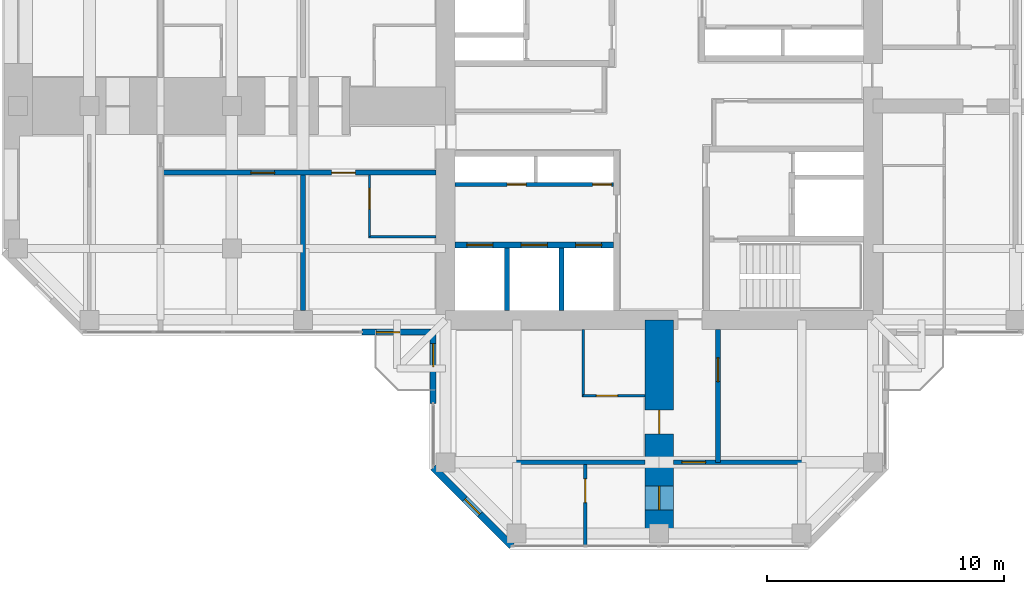
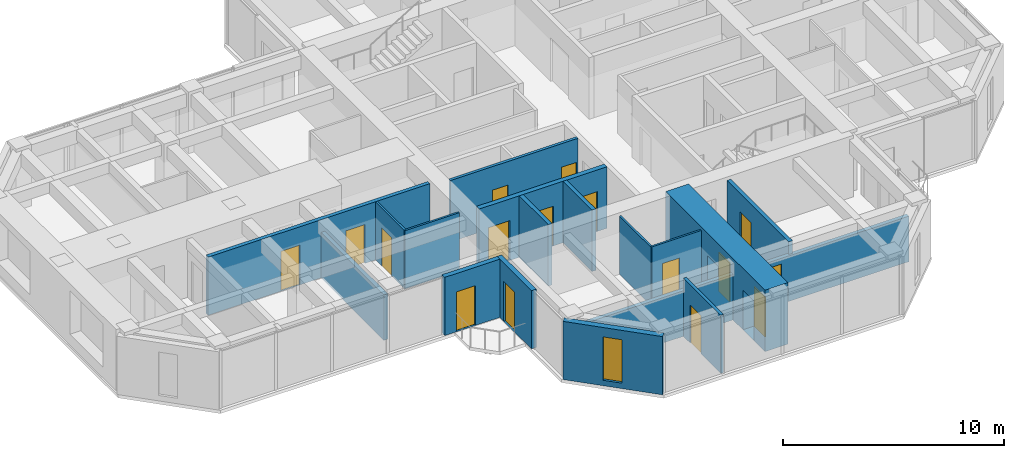
# One storey, part 8 of 13: 18 walls, 16 doors, 1 window, 17 openings.
"""IFC4 building model written with IfcOpenShell, lengths in metres."""

from ifc_helpers import new_model, si_unit, direction, frame, frame_2d, origin, place, context, subcontext, project, spatial, rectangle, hollow_rectangle, extrude, material, layer, layer_set, constituent, constituent_set, type_object, element, fill, save


model = new_model("IFC4")

# Units and contexts
model_context = context("Model", 3, precision=1e-05, world=origin(), true_north=direction((0.0, 1.0)))
body_context = subcontext(model_context, "Body", "Model", "MODEL_VIEW")
ifc_project = project(units=[si_unit("LENGTHUNIT", "METRE"), si_unit("AREAUNIT", "SQUARE_METRE"), si_unit("VOLUMEUNIT", "CUBIC_METRE"), si_unit("PLANEANGLEUNIT", "RADIAN"), si_unit("MASSUNIT", "GRAM", prefix="KILO")], contexts=[model_context])

# Site, building, storey
site_placement = place(None, origin())
site = spatial("IfcSite", under=ifc_project, at=site_placement, CompositionType="ELEMENT")
building_placement = place(site_placement, origin())
building = spatial("IfcBuilding", under=site, at=building_placement, Name="Torre Cruceta", CompositionType="ELEMENT")
storey_placement = place(building_placement, frame((0.0, 0.0, 245.89990234375)))
storey = spatial("IfcBuildingStorey", under=building, at=storey_placement, Name="L63", CompositionType="ELEMENT", Elevation=245.89990234375)

# Wall
ifc_material_1 = material(Name="Water-resistant plasterboard on steel studs", Category="steel")
ifc_layer_1 = layer(ifc_material_1, 0.10009765625)
ifc_layer_set_1 = layer_set([ifc_layer_1], Name="Water-resistant plasterboard on steel studs")
wall_type_1 = type_object("IfcWallType", Name="BATHROOM WALL 100", PredefinedType="PARTITIONING", material=ifc_layer_set_1)
wall_1_placement = place(storey_placement, frame((-3.199951171875, -9.39990234375, 0.0), z_axis=(0.0, 0.0, 1.0), x_axis=(0.0, -1.0, 0.0)))
element("IfcWall", 1, at=wall_1_placement, inside=storey, type_object=wall_type_1, Name="PT4 L63-S-U1RBB", PredefinedType="PARTITIONING", context=body_context, shape_type="SweptSolid", body=[
    extrude(rectangle(XDim=2.85009765625, YDim=0.10009765625, at=frame_2d((1.425048828125, 0.0))), origin(), (0.0, 0.0, 1.0), 3.22021484375),
])

# Wall, opening, door
wall_2_placement = place(storey_placement, frame((-3.199951171875, -12.199951171875, 0.0), z_axis=(0.0, 0.0, 1.0), x_axis=(1.0, 0.0, 0.0)))
wall_2 = element("IfcWall", 2, at=wall_2_placement, inside=storey, type_object=wall_type_1, Name="PT4 L63-S-U1RBS", PredefinedType="PARTITIONING", context=body_context, shape_type="SweptSolid", body=[
    extrude(rectangle(XDim=2.599853515625, YDim=0.10009765625, at=frame_2d((1.2998046875, 0.0))), origin(), (0.0, 0.0, 1.0), 3.22021484375),
])
opening_1_placement = place(wall_2_placement, frame((0.550048828125, 0.0, 0.0)))
opening_1 = element("IfcOpeningElement", 3, at=opening_1_placement, cuts=wall_2, Name="Opening D7", PredefinedType="OPENING", context=body_context, shape_type="SweptSolid", body=[
    extrude(rectangle(XDim=0.89990234375, YDim=2.10009765625, at=frame_2d((0.449951171875, 1.050048828125))), frame((0.0, 0.06005859375, 0.0), z_axis=(0.0, -1.0, 0.0), x_axis=(1.0, 0.0, 0.0)), (0.0, 0.0, 1.0), 0.1201171875),
])
ifc_material_2 = material(Name="Timber door", Category="wood")
door_type_1 = type_object("IfcDoorType", Name="BATHROOM DOOR 900X2100", OperationType="SINGLE_SWING_LEFT", PredefinedType="DOOR", material=ifc_material_2)
door_1_placement = place(opening_1_placement, origin())
door_1 = element("IfcDoor", 4, at=door_1_placement, inside=storey, type_object=door_type_1, Name="D7 L63-S-U1RBS-D1", OperationType="SINGLE_SWING_LEFT", OverallHeight=2.10009765625, OverallWidth=0.89990234375, PredefinedType="DOOR", context=body_context, shape_type="SweptSolid", body=[
    extrude(rectangle(XDim=0.89990234375, YDim=2.10009765625, at=frame_2d((0.449951171875, 1.050048828125))), frame((0.0, 0.02490234375, 0.0), z_axis=(0.0, -1.0, 0.0), x_axis=(1.0, 0.0, 0.0)), (0.0, 0.0, 1.0), 0.050048828125),
])
fill(opening_1, door_1)

# Wall
wall_3_placement = place(storey_placement, frame((-9.39990234375, -5.5, 0.0), z_axis=(0.0, 0.0, 1.0), x_axis=(-1.0, 0.0, 0.0)))
element("IfcWall", 5, at=wall_3_placement, inside=storey, type_object=wall_type_1, Name="PT4 L63-W-U1LBB", PredefinedType="PARTITIONING", context=body_context, shape_type="SweptSolid", body=[
    extrude(rectangle(XDim=2.85009765625, YDim=0.10009765625, at=frame_2d((1.425048828125, 0.0))), origin(), (0.0, 0.0, 1.0), 3.22021484375),
])

# Wall, opening, door
wall_4_placement = place(storey_placement, frame((-12.199951171875, -2.89990234375, 0.0), z_axis=(0.0, 0.0, 1.0), x_axis=(0.0, -1.0, 0.0)))
wall_4 = element("IfcWall", 6, at=wall_4_placement, inside=storey, type_object=wall_type_1, Name="PT4 L63-W-U1LBS", PredefinedType="PARTITIONING", context=body_context, shape_type="SweptSolid", body=[
    extrude(rectangle(XDim=2.60009765625, YDim=0.10009765625, at=frame_2d((1.300048828125, 0.0))), origin(), (0.0, 0.0, 1.0), 3.22021484375),
])
opening_2_placement = place(wall_4_placement, frame((0.550048828125, 0.0, 0.0)))
opening_2 = element("IfcOpeningElement", 7, at=opening_2_placement, cuts=wall_4, Name="Opening D7", PredefinedType="OPENING", context=body_context, shape_type="SweptSolid", body=[
    extrude(rectangle(XDim=0.89990234375, YDim=2.10009765625, at=frame_2d((0.449951171875, 1.050048828125))), frame((0.0, 0.06005859375, 0.0), z_axis=(0.0, -1.0, 0.0), x_axis=(1.0, 0.0, 0.0)), (0.0, 0.0, 1.0), 0.1201171875),
])
door_2_placement = place(opening_2_placement, origin())
door_2 = element("IfcDoor", 8, at=door_2_placement, inside=storey, type_object=door_type_1, Name="D7 L63-W-U1LBS-D1", OperationType="SINGLE_SWING_LEFT", OverallHeight=2.10009765625, OverallWidth=0.89990234375, PredefinedType="DOOR", context=body_context, shape_type="SweptSolid", body=[
    extrude(rectangle(XDim=0.89990234375, YDim=2.10009765625, at=frame_2d((0.449951171875, 1.050048828125))), frame((0.0, 0.02490234375, 0.0), z_axis=(0.0, -1.0, 0.0), x_axis=(1.0, 0.0, 0.0)), (0.0, 0.0, 1.0), 0.050048828125),
])
fill(opening_2, door_2)

# Wall, openings, doors
ifc_material_3 = material(Name="Concrete G60 (fck 60 MPa)", Category="concrete")
ifc_layer_2 = layer(ifc_material_3, 0.25)
ifc_layer_set_2 = layer_set([ifc_layer_2], Name="Concrete G60 (fck 60 MPa)")
wall_type_2 = type_object("IfcWallType", Name="CORE INNER WALL 250 G60", PredefinedType="SHEAR", material=ifc_layer_set_2)
wall_5_placement = place(storey_placement, frame((-1.925048828125, -5.85009765625, 0.0), z_axis=(0.0, 0.0, 1.0), x_axis=(-1.0, 0.0, 0.0)))
wall_5 = element("IfcWall", 9, at=wall_5_placement, inside=storey, type_object=wall_type_2, Name="CW4 L63 SW-LV", PredefinedType="SHEAR", context=body_context, shape_type="SweptSolid", body=[
    extrude(rectangle(XDim=6.675048828125, YDim=0.25, at=frame_2d((3.33740234375, 0.0))), origin(), (0.0, 0.0, 1.0), 3.400146484375),
])
opening_3_placement = place(wall_5_placement, frame((0.495849609375, 0.0, 0.0)))
opening_3 = element("IfcOpeningElement", 10, at=opening_3_placement, cuts=wall_5, Name="Opening LD1", PredefinedType="OPENING", context=body_context, shape_type="SweptSolid", body=[
    extrude(rectangle(XDim=1.10009765625, YDim=2.199951171875, at=frame_2d((0.550048828125, 1.10009765625))), frame((0.0, 0.135009765625, 0.0), z_axis=(0.0, -1.0, 0.0), x_axis=(1.0, 0.0, 0.0)), (0.0, 0.0, 1.0), 0.27001953125),
])
opening_4_placement = place(wall_5_placement, frame((2.78759765625, 0.0, 0.0)))
opening_4 = element("IfcOpeningElement", 11, at=opening_4_placement, cuts=wall_5, Name="Opening LD1", PredefinedType="OPENING", context=body_context, shape_type="SweptSolid", body=[
    extrude(rectangle(XDim=1.10009765625, YDim=2.199951171875, at=frame_2d((0.550048828125, 1.10009765625))), frame((0.0, 0.135009765625, 0.0), z_axis=(0.0, -1.0, 0.0), x_axis=(1.0, 0.0, 0.0)), (0.0, 0.0, 1.0), 0.27001953125),
])
opening_5_placement = place(wall_5_placement, frame((5.0791015625, 0.0, 0.0)))
opening_5 = element("IfcOpeningElement", 12, at=opening_5_placement, cuts=wall_5, Name="Opening LD1", PredefinedType="OPENING", context=body_context, shape_type="SweptSolid", body=[
    extrude(rectangle(XDim=1.10009765625, YDim=2.199951171875, at=frame_2d((0.550048828125, 1.10009765625))), frame((0.0, 0.135009765625, 0.0), z_axis=(0.0, -1.0, 0.0), x_axis=(1.0, 0.0, 0.0)), (0.0, 0.0, 1.0), 0.27001953125),
])
ifc_material_4 = material(Name="Stainless steel 1.4401", Category="steel")
door_type_2 = type_object("IfcDoorType", Name="LIFT LANDING DOOR 1100X2200", OperationType="DOUBLE_DOOR_SLIDING", PredefinedType="DOOR", material=ifc_material_4)
door_3_placement = place(opening_3_placement, origin())
door_3 = element("IfcDoor", 13, at=door_3_placement, inside=storey, type_object=door_type_2, Name="Lift landing door R1", OperationType="DOUBLE_DOOR_SLIDING", OverallHeight=2.199951171875, OverallWidth=1.10009765625, PredefinedType="DOOR", context=body_context, shape_type="SweptSolid", body=[
    extrude(rectangle(XDim=1.10009765625, YDim=2.199951171875, at=frame_2d((0.550048828125, 1.10009765625))), frame((0.0, 0.02490234375, 0.0), z_axis=(0.0, -1.0, 0.0), x_axis=(1.0, 0.0, 0.0)), (0.0, 0.0, 1.0), 0.050048828125),
])
fill(opening_3, door_3)
door_4_placement = place(opening_4_placement, origin())
door_4 = element("IfcDoor", 14, at=door_4_placement, inside=storey, type_object=door_type_2, Name="Lift landing door R2", OperationType="DOUBLE_DOOR_SLIDING", OverallHeight=2.199951171875, OverallWidth=1.10009765625, PredefinedType="DOOR", context=body_context, shape_type="SweptSolid", body=[
    extrude(rectangle(XDim=1.10009765625, YDim=2.199951171875, at=frame_2d((0.550048828125, 1.10009765625))), frame((0.0, 0.02490234375, 0.0), z_axis=(0.0, -1.0, 0.0), x_axis=(1.0, 0.0, 0.0)), (0.0, 0.0, 1.0), 0.050048828125),
])
fill(opening_4, door_4)
door_5_placement = place(opening_5_placement, origin())
door_5 = element("IfcDoor", 15, at=door_5_placement, inside=storey, type_object=door_type_2, Name="Lift landing door R3", OperationType="DOUBLE_DOOR_SLIDING", OverallHeight=2.199951171875, OverallWidth=1.10009765625, PredefinedType="DOOR", context=body_context, shape_type="SweptSolid", body=[
    extrude(rectangle(XDim=1.10009765625, YDim=2.199951171875, at=frame_2d((0.550048828125, 1.10009765625))), frame((0.0, 0.02490234375, 0.0), z_axis=(0.0, -1.0, 0.0), x_axis=(1.0, 0.0, 0.0)), (0.0, 0.0, 1.0), 0.050048828125),
])
fill(opening_5, door_5)

# Wall, opening, door
ifc_material_5 = material(Name="Concrete G25 (fck 25 MPa)", Category="concrete")
ifc_layer_3 = layer(ifc_material_5, 0.199951171875)
ifc_layer_set_3 = layer_set([ifc_layer_3], Name="Concrete G25 (fck 25 MPa)")
wall_type_3 = type_object("IfcWallType", Name="CORRIDOR WALL 200", PredefinedType="SOLIDWALL", material=ifc_layer_set_3)
wall_6_placement = place(storey_placement, frame((2.47509765625, -9.39990234375, 0.0), z_axis=(0.0, 0.0, 1.0), x_axis=(0.0, -1.0, 0.0)))
wall_6 = element("IfcWall", 16, at=wall_6_placement, inside=storey, type_object=wall_type_3, Name="PT3 L63-S-CL", PredefinedType="SOLIDWALL", context=body_context, shape_type="SweptSolid", body=[
    extrude(rectangle(XDim=5.60009765625, YDim=0.199951171875, at=frame_2d((2.800048828125, 0.0))), origin(), (0.0, 0.0, 1.0), 3.22021484375),
])
opening_6_placement = place(wall_6_placement, frame((1.199951171875, 0.0, 0.0)))
opening_6 = element("IfcOpeningElement", 17, at=opening_6_placement, cuts=wall_6, Name="Opening D14", PredefinedType="OPENING", context=body_context, shape_type="SweptSolid", body=[
    extrude(rectangle(XDim=1.0, YDim=2.199951171875, at=frame_2d((0.5, 1.10009765625))), frame((0.0, 0.10986328125, 0.0), z_axis=(0.0, -1.0, 0.0), x_axis=(1.0, 0.0, 0.0)), (0.0, 0.0, 1.0), 0.219970703125),
])
ifc_material_6 = material(Name="Steel DX51D", Category="steel")
ifc_constituent_1 = constituent(ifc_material_6, Name="Leaf and frame")
ifc_material_7 = material(Name="Polyester powder coating", Category="paint")
ifc_constituent_2 = constituent(ifc_material_7, Name="Finish")
ifc_material_8 = material(Name="Fire-resisting glass", Category="glass")
ifc_constituent_3 = constituent(ifc_material_8, Name="Vision panel")
ifc_constituent_set_1 = constituent_set(constituents=[ifc_constituent_1, ifc_constituent_2, ifc_constituent_3], Name="Steel fire door with vision panel")
door_type_3 = type_object("IfcDoorType", Name="FIRE DOOR VISION PANEL 1000X2200", OperationType="SINGLE_SWING_RIGHT", PredefinedType="DOOR", material=ifc_constituent_set_1)
door_6_placement = place(opening_6_placement, origin())
door_6 = element("IfcDoor", 18, at=door_6_placement, inside=storey, type_object=door_type_3, Name="D14 L63-S-CL-D1", OperationType="SINGLE_SWING_LEFT", OverallHeight=2.199951171875, OverallWidth=1.0, PredefinedType="DOOR", context=body_context, shape_type="SweptSolid", body=[
    extrude(rectangle(XDim=1.0, YDim=2.199951171875, at=frame_2d((0.5, 1.10009765625))), frame((0.0, 0.02490234375, 0.0), z_axis=(0.0, -1.0, 0.0), x_axis=(1.0, 0.0, 0.0)), (0.0, 0.0, 1.0), 0.050048828125),
])
fill(opening_6, door_6)

# Wall, openings, doors
wall_7_placement = place(storey_placement, frame((-9.39990234375, -2.800048828125, 0.0), z_axis=(0.0, 0.0, 1.0), x_axis=(-1.0, 0.0, 0.0)))
wall_7 = element("IfcWall", 19, at=wall_7_placement, inside=storey, type_object=wall_type_3, Name="PT3 L63-W-CL", PredefinedType="SOLIDWALL", context=body_context, shape_type="SweptSolid", body=[
    extrude(rectangle(XDim=11.60009765625, YDim=0.199951171875, at=frame_2d((5.800048828125, 0.0))), origin(), (0.0, 0.0, 1.0), 3.22021484375),
])
opening_7_placement = place(wall_7_placement, frame((3.39990234375, 0.0, 0.0)))
opening_7 = element("IfcOpeningElement", 20, at=opening_7_placement, cuts=wall_7, Name="Opening D6", PredefinedType="OPENING", context=body_context, shape_type="SweptSolid", body=[
    extrude(rectangle(XDim=1.0, YDim=2.14990234375, at=frame_2d((0.5, 1.074951171875))), frame((0.0, 0.10986328125, 0.0), z_axis=(0.0, -1.0, 0.0), x_axis=(1.0, 0.0, 0.0)), (0.0, 0.0, 1.0), 0.219970703125),
])
opening_8_placement = place(wall_7_placement, frame((6.800048828125, 0.0, 0.0)))
opening_8 = element("IfcOpeningElement", 21, at=opening_8_placement, cuts=wall_7, Name="Opening D14", PredefinedType="OPENING", context=body_context, shape_type="SweptSolid", body=[
    extrude(rectangle(XDim=1.0, YDim=2.199951171875, at=frame_2d((0.5, 1.10009765625))), frame((0.0, 0.10986328125, 0.0), z_axis=(0.0, -1.0, 0.0), x_axis=(1.0, 0.0, 0.0)), (0.0, 0.0, 1.0), 0.219970703125),
])
door_7_placement = place(opening_8_placement, origin())
door_7 = element("IfcDoor", 22, at=door_7_placement, inside=storey, type_object=door_type_3, Name="D14 L63-W-CL-D2", OperationType="SINGLE_SWING_LEFT", OverallHeight=2.199951171875, OverallWidth=1.0, PredefinedType="DOOR", context=body_context, shape_type="SweptSolid", body=[
    extrude(rectangle(XDim=1.0, YDim=2.199951171875, at=frame_2d((0.5, 1.10009765625))), frame((0.0, 0.02490234375, 0.0), z_axis=(0.0, -1.0, 0.0), x_axis=(1.0, 0.0, 0.0)), (0.0, 0.0, 1.0), 0.050048828125),
])
fill(opening_8, door_7)
ifc_material_9 = material(Name="Timber fire door", Category="wood")
door_type_4 = type_object("IfcDoorType", Name="UNIT ENTRANCE DOOR 1000X2150", OperationType="SINGLE_SWING_LEFT", PredefinedType="DOOR", material=ifc_material_9)
door_8_placement = place(opening_7_placement, origin())
door_8 = element("IfcDoor", 23, at=door_8_placement, inside=storey, type_object=door_type_4, Name="D6 L63-W-CL-D1", OperationType="SINGLE_SWING_LEFT", OverallHeight=2.14990234375, OverallWidth=1.0, PredefinedType="DOOR", context=body_context, shape_type="SweptSolid", body=[
    extrude(rectangle(XDim=1.0, YDim=2.14990234375, at=frame_2d((0.5, 1.074951171875))), frame((0.0, 0.02490234375, 0.0), z_axis=(0.0, -1.0, 0.0), x_axis=(1.0, 0.0, 0.0)), (0.0, 0.0, 1.0), 0.050048828125),
])
fill(opening_7, door_8)

# Wall, opening, window
ifc_material_10 = material(Name="Concrete G30 (fck 30 MPa)", Category="concrete")
ifc_layer_4 = layer(ifc_material_10, 0.300048828125)
ifc_layer_set_4 = layer_set([ifc_layer_4], Name="Concrete G30 (fck 30 MPa)")
wall_type_4 = type_object("IfcWallType", Name="EXPOSED CONCRETE FACADE WALL 300", PredefinedType="SOLIDWALL", material=ifc_layer_set_4)
wall_8_placement = place(storey_placement, frame((-9.52001953125, -15.21533203125, 0.0), z_axis=(0.0, 0.0, 1.0), x_axis=(0.707106781187, -0.707106781187, 0.0)))
wall_8 = element("IfcWall", 24, at=wall_8_placement, inside=storey, type_object=wall_type_4, Name="EW1 facade wall L63 S chamfer 16", PredefinedType="SOLIDWALL", context=body_context, shape_type="SweptSolid", body=[
    extrude(rectangle(XDim=4.673583984375, YDim=0.300048828125, at=frame_2d((2.3369140625, 0.0))), origin(), (0.0, 0.0, 1.0), 3.22021484375),
])
opening_9_placement = place(wall_8_placement, frame((1.88671875, 0.0, 0.300048828125)))
opening_9 = element("IfcOpeningElement", 25, at=opening_9_placement, cuts=wall_8, Name="Opening WN5", PredefinedType="OPENING", context=body_context, shape_type="SweptSolid", body=[
    extrude(rectangle(XDim=0.89990234375, YDim=2.39990234375, at=frame_2d((0.449951171875, 1.199951171875))), frame((0.0, 0.159912109375, 0.0), z_axis=(0.0, -1.0, 0.0), x_axis=(1.0, 0.0, 0.0)), (0.0, 0.0, 1.0), 0.320068359375),
])
ifc_material_11 = material(Name="Aluminium window frame", Category="aluminium")
ifc_constituent_4 = constituent(ifc_material_11, Name="Frame")
ifc_material_12 = material(Name="Laminated insulating glass unit, low-iron clear", Category="glass")
ifc_constituent_5 = constituent(ifc_material_12, Name="Glazing")
ifc_constituent_set_2 = constituent_set(constituents=[ifc_constituent_4, ifc_constituent_5], Name="Aluminium window")
window_type = type_object("IfcWindowType", Name="CHAMFER SLOT WINDOW 900X2400", PartitioningType="SINGLE_PANEL", PredefinedType="WINDOW", material=ifc_constituent_set_2)
window_placement = place(opening_9_placement, origin())
window = element("IfcWindow", 26, at=window_placement, inside=storey, type_object=window_type, Name="WN5 L63 S 1", OverallHeight=2.39990234375, OverallWidth=0.89990234375, PartitioningType="SINGLE_PANEL", PredefinedType="WINDOW", context=body_context, shape_type="SweptSolid", body=[
    extrude(hollow_rectangle(XDim=0.89990234375, YDim=2.39990234375, WallThickness=0.06005859375, at=frame_2d((0.449951171875, 1.199951171875))), frame((0.0, 0.030029296875, 0.0), z_axis=(0.0, -1.0, 0.0), x_axis=(1.0, 0.0, 0.0)), (0.0, 0.0, 1.0), 0.06005859375),
    extrude(rectangle(XDim=0.77880859375, YDim=2.27880859375, at=frame_2d((0.449951171875, 1.199951171875))), frame((0.0, 0.030029296875, 0.0), z_axis=(0.0, -1.0, 0.0), x_axis=(1.0, 0.0, 0.0)), (0.0, 0.0, 1.0), 0.06005859375),
])
fill(opening_9, window)

# Walls
ifc_material_13 = material(Name="Concrete G35 (fck 35 MPa)", Category="concrete")
ifc_layer_5 = layer(ifc_material_13, 0.199951171875)
ifc_layer_set_5 = layer_set([ifc_layer_5], Name="Concrete G35 (fck 35 MPa)")
wall_type_5 = type_object("IfcWallType", Name="LIFT SHAFT WALL 200", PredefinedType="PARTITIONING", material=ifc_layer_set_5)
for number, where, z_axis, x_axis, name in (
    (27, (-4.11669921875, -5.97509765625, 0.0), (0.0, 0.0, 1.0), (0.0, -1.0, 0.0), "SW1 L63 SW-LS1"),
    (28, (-6.408447265625, -5.97509765625, 0.0), (0.0, 0.0, 1.0), (0.0, -1.0, 0.0), "SW1 L63 SW-LS2"),
):
    element("IfcWall", number, at=place(storey_placement, frame(where, z_axis=z_axis, x_axis=x_axis)), inside=storey, type_object=wall_type_5, Name=name, PredefinedType="PARTITIONING", context=body_context, shape_type="SweptSolid", body=[
        extrude(rectangle(XDim=2.625, YDim=0.199951171875, at=frame_2d((1.3125, 0.0))), origin(), (0.0, 0.0, 1.0), 3.400146484375),
    ])

# Wall, opening, door
ifc_material_14 = material(Name="Plasterboard on steel studs", Category="steel")
ifc_layer_6 = layer(ifc_material_14, 0.14990234375)
ifc_layer_set_6 = layer_set([ifc_layer_6], Name="Plasterboard on steel studs")
wall_type_6 = type_object("IfcWallType", Name="PARTITION 150", PredefinedType="PARTITIONING", material=ifc_layer_set_6)
wall_9_placement = place(storey_placement, frame((-3.117919921875, -15.10009765625, 0.0), z_axis=(0.0, 0.0, 1.0), x_axis=(0.0, -1.0, 0.0)))
wall_9 = element("IfcWall", 29, at=wall_9_placement, inside=storey, type_object=wall_type_6, Name="PT1 L63-S-END2X", PredefinedType="PARTITIONING", context=body_context, shape_type="SweptSolid", body=[
    extrude(rectangle(XDim=3.3798828125, YDim=0.14990234375, at=frame_2d((1.68994140625, 0.0))), origin(), (0.0, 0.0, 1.0), 3.22021484375),
])
opening_10_placement = place(wall_9_placement, frame((0.60009765625, 0.0, 0.0)))
opening_10 = element("IfcOpeningElement", 30, at=opening_10_placement, cuts=wall_9, Name="Opening D3", PredefinedType="OPENING", context=body_context, shape_type="SweptSolid", body=[
    extrude(rectangle(XDim=1.0, YDim=2.10009765625, at=frame_2d((0.5, 1.050048828125))), frame((0.0, 0.0849609375, 0.0), z_axis=(0.0, -1.0, 0.0), x_axis=(1.0, 0.0, 0.0)), (0.0, 0.0, 1.0), 0.169921875),
])
ifc_material_15 = material(Name="Steel DX51D", Category="steel")
ifc_constituent_6 = constituent(ifc_material_15, Name="Leaf and frame")
ifc_material_16 = material(Name="Polyester powder coating", Category="paint")
ifc_constituent_7 = constituent(ifc_material_16, Name="Finish")
ifc_constituent_set_3 = constituent_set(constituents=[ifc_constituent_6, ifc_constituent_7], Name="Steel fire door")
door_type_5 = type_object("IfcDoorType", Name="FIRE DOOR 1000X2100", OperationType="SINGLE_SWING_LEFT", PredefinedType="DOOR", material=ifc_constituent_set_3)
door_9_placement = place(opening_10_placement, origin())
door_9 = element("IfcDoor", 31, at=door_9_placement, inside=storey, type_object=door_type_5, Name="D3 L63-S-END2X-D1", OperationType="SINGLE_SWING_LEFT", OverallHeight=2.10009765625, OverallWidth=1.0, PredefinedType="DOOR", context=body_context, shape_type="SweptSolid", body=[
    extrude(rectangle(XDim=1.0, YDim=2.10009765625, at=frame_2d((0.5, 1.050048828125))), frame((0.0, 0.02490234375, 0.0), z_axis=(0.0, -1.0, 0.0), x_axis=(1.0, 0.0, 0.0)), (0.0, 0.0, 1.0), 0.050048828125),
])
fill(opening_10, door_9)

# Wall, openings, doors
ifc_material_17 = material(Name="Concrete block masonry", Category="masonry")
ifc_layer_7 = layer(ifc_material_17, 0.14990234375)
ifc_layer_set_7 = layer_set([ifc_layer_7], Name="Concrete block masonry")
wall_type_7 = type_object("IfcWallType", Name="RISER WALL 150", PredefinedType="PARTITIONING", material=ifc_layer_set_7)
wall_10_placement = place(storey_placement, frame((-1.925048828125, -3.300048828125, 0.0), z_axis=(0.0, 0.0, 1.0), x_axis=(-1.0, 0.0, 0.0)))
wall_10 = element("IfcWall", 32, at=wall_10_placement, inside=storey, type_object=wall_type_7, Name="SW7 L63 SW-RV", PredefinedType="PARTITIONING", context=body_context, shape_type="SweptSolid", body=[
    extrude(rectangle(XDim=6.675048828125, YDim=0.14990234375, at=frame_2d((3.33740234375, 0.0))), origin(), (0.0, 0.0, 1.0), 3.400146484375),
])
opening_11_placement = place(wall_10_placement, frame((0.074951171875, 0.0, 0.0)))
opening_11 = element("IfcOpeningElement", 33, at=opening_11_placement, cuts=wall_10, Name="Opening D5", PredefinedType="OPENING", context=body_context, shape_type="SweptSolid", body=[
    extrude(rectangle(XDim=0.800048828125, YDim=2.10009765625, at=frame_2d((0.39990234375, 1.050048828125))), frame((0.0, 0.0849609375, 0.0), z_axis=(0.0, -1.0, 0.0), x_axis=(1.0, 0.0, 0.0)), (0.0, 0.0, 1.0), 0.169921875),
])
opening_12_placement = place(wall_10_placement, frame((3.675048828125, 0.0, 0.0)))
opening_12 = element("IfcOpeningElement", 34, at=opening_12_placement, cuts=wall_10, Name="Opening D5", PredefinedType="OPENING", context=body_context, shape_type="SweptSolid", body=[
    extrude(rectangle(XDim=0.800048828125, YDim=2.10009765625, at=frame_2d((0.39990234375, 1.050048828125))), frame((0.0, 0.0849609375, 0.0), z_axis=(0.0, -1.0, 0.0), x_axis=(1.0, 0.0, 0.0)), (0.0, 0.0, 1.0), 0.169921875),
])
ifc_material_18 = material(Name="Steel DX51D", Category="steel")
ifc_constituent_8 = constituent(ifc_material_18, Name="Leaf and frame")
ifc_material_19 = material(Name="Polyester powder coating", Category="paint")
ifc_constituent_9 = constituent(ifc_material_19, Name="Finish")
ifc_constituent_set_4 = constituent_set(constituents=[ifc_constituent_8, ifc_constituent_9], Name="Steel fire door")
door_type_6 = type_object("IfcDoorType", Name="RISER ACCESS DOOR 800X2100", OperationType="SINGLE_SWING_LEFT", PredefinedType="DOOR", material=ifc_constituent_set_4)
door_10_placement = place(opening_11_placement, frame((0.800048828125, 0.0, 0.0), z_axis=(0.0, 0.0, 1.0), x_axis=(-1.0, 0.0, 0.0)))
door_10 = element("IfcDoor", 35, at=door_10_placement, inside=storey, type_object=door_type_6, Name="D5 L63 SW-RISER1", OperationType="SINGLE_SWING_RIGHT", OverallHeight=2.10009765625, OverallWidth=0.800048828125, PredefinedType="DOOR", context=body_context, shape_type="SweptSolid", body=[
    extrude(rectangle(XDim=0.800048828125, YDim=2.10009765625, at=frame_2d((0.400146484375, 1.050048828125))), frame((0.0, 0.025146484375, 0.0), z_axis=(0.0, -1.0, 0.0), x_axis=(1.0, 0.0, 0.0)), (0.0, 0.0, 1.0), 0.050048828125),
])
fill(opening_11, door_10)
door_11_placement = place(opening_12_placement, frame((0.800048828125, 0.0, 0.0), z_axis=(0.0, 0.0, 1.0), x_axis=(-1.0, 0.0, 0.0)))
door_11 = element("IfcDoor", 36, at=door_11_placement, inside=storey, type_object=door_type_6, Name="D5 L63 SW-RISER2", OperationType="SINGLE_SWING_RIGHT", OverallHeight=2.10009765625, OverallWidth=0.800048828125, PredefinedType="DOOR", context=body_context, shape_type="SweptSolid", body=[
    extrude(rectangle(XDim=0.800048828125, YDim=2.10009765625, at=frame_2d((0.400146484375, 1.050048828125))), frame((0.0, 0.025146484375, 0.0), z_axis=(0.0, -1.0, 0.0), x_axis=(1.0, 0.0, 0.0)), (0.0, 0.0, 1.0), 0.050048828125),
])
fill(opening_12, door_11)

ifc_material_20 = material(Name="Concrete G60 (fck 60 MPa)", Category="concrete")
ifc_layer_8 = layer(ifc_material_20, 1.199951171875)
ifc_layer_set_8 = layer_set([ifc_layer_8], Name="Concrete G60 (fck 60 MPa)")
wall_type_8 = type_object("IfcWallType", Name="SPINE WALL 1200 G60", PredefinedType="SHEAR", material=ifc_layer_set_8)
wall_11_placement = place(storey_placement, frame((0.0, -9.0, 0.0), z_axis=(0.0, 0.0, 1.0), x_axis=(0.0, -1.0, 0.0)))
wall_11 = element("IfcWall", 37, at=wall_11_placement, inside=storey, type_object=wall_type_8, Name="SW3 spine wall L63 S", PredefinedType="SHEAR", context=body_context, shape_type="SweptSolid", body=[
    extrude(rectangle(XDim=9.0, YDim=1.199951171875, at=frame_2d((4.5, 0.0))), origin(), (0.0, 0.0, 1.0), 3.400146484375),
])
opening_13_placement = place(wall_11_placement, frame((3.800048828125, 0.0, 0.0)))
opening_13 = element("IfcOpeningElement", 38, at=opening_13_placement, cuts=wall_11, Name="Opening D6", PredefinedType="OPENING", context=body_context, shape_type="SweptSolid", body=[
    extrude(rectangle(XDim=1.0, YDim=2.14990234375, at=frame_2d((0.5, 1.074951171875))), frame((0.0, 0.60986328125, 0.0), z_axis=(0.0, -1.0, 0.0), x_axis=(1.0, 0.0, 0.0)), (0.0, 0.0, 1.0), 1.219970703125),
])
opening_14_placement = place(wall_11_placement, frame((7.0, 0.0, 0.0)))
opening_14 = element("IfcOpeningElement", 39, at=opening_14_placement, cuts=wall_11, Name="Opening D14", PredefinedType="OPENING", context=body_context, shape_type="SweptSolid", body=[
    extrude(rectangle(XDim=1.0, YDim=2.199951171875, at=frame_2d((0.5, 1.10009765625))), frame((0.0, 0.60986328125, 0.0), z_axis=(0.0, -1.0, 0.0), x_axis=(1.0, 0.0, 0.0)), (0.0, 0.0, 1.0), 1.219970703125),
])
door_12_placement = place(opening_14_placement, frame((1.0, 0.0, 0.0), z_axis=(0.0, 0.0, 1.0), x_axis=(-1.0, 0.0, 0.0)))
door_12 = element("IfcDoor", 40, at=door_12_placement, inside=storey, type_object=door_type_3, Name="D14 L63-S-SP2", OperationType="SINGLE_SWING_RIGHT", OverallHeight=2.199951171875, OverallWidth=1.0, PredefinedType="DOOR", context=body_context, shape_type="SweptSolid", body=[
    extrude(rectangle(XDim=1.0, YDim=2.199951171875, at=frame_2d((0.5, 1.10009765625))), frame((0.0, 0.025146484375, 0.0), z_axis=(0.0, -1.0, 0.0), x_axis=(1.0, 0.0, 0.0)), (0.0, 0.0, 1.0), 0.050048828125),
])
fill(opening_14, door_12)
door_13_placement = place(opening_13_placement, frame((1.0, 0.0, 0.0), z_axis=(0.0, 0.0, 1.0), x_axis=(-1.0, 0.0, 0.0)))
door_13 = element("IfcDoor", 41, at=door_13_placement, inside=storey, type_object=door_type_4, Name="D6 L63-S-SP1", OperationType="SINGLE_SWING_RIGHT", OverallHeight=2.14990234375, OverallWidth=1.0, PredefinedType="DOOR", context=body_context, shape_type="SweptSolid", body=[
    extrude(rectangle(XDim=1.0, YDim=2.14990234375, at=frame_2d((0.5, 1.074951171875))), frame((0.0, 0.025146484375, 0.0), z_axis=(0.0, -1.0, 0.0), x_axis=(1.0, 0.0, 0.0)), (0.0, 0.0, 1.0), 0.050048828125),
])
fill(opening_13, door_13)

# Wall
ifc_material_21 = material(Name="Concrete G25 (fck 25 MPa)", Category="concrete")
ifc_layer_9 = layer(ifc_material_21, 0.199951171875)
ifc_layer_set_9 = layer_set([ifc_layer_9], Name="Concrete G25 (fck 25 MPa)")
wall_type_9 = type_object("IfcWallType", Name="UNIT SEPARATING WALL 200", PredefinedType="SOLIDWALL", material=ifc_layer_set_9)
wall_12_placement = place(storey_placement, frame((-8.60009765625, -15.0, 0.0), z_axis=(0.0, 0.0, 1.0), x_axis=(1.0, 0.0, 0.0)))
element("IfcWall", 42, at=wall_12_placement, inside=storey, type_object=wall_type_9, Name="PT2 L63-S-ENDa", PredefinedType="SOLIDWALL", context=body_context, shape_type="SweptSolid", body=[
    extrude(rectangle(XDim=8.0, YDim=0.199951171875, at=frame_2d((4.0, 0.0))), origin(), (0.0, 0.0, 1.0), 2.52001953125),
])

# Wall, opening, door
wall_13_placement = place(storey_placement, frame((0.60009765625, -15.0, 0.0), z_axis=(0.0, 0.0, 1.0), x_axis=(1.0, 0.0, 0.0)))
wall_13 = element("IfcWall", 43, at=wall_13_placement, inside=storey, type_object=wall_type_9, Name="PT2 L63-S-ENDb", PredefinedType="SOLIDWALL", context=body_context, shape_type="SweptSolid", body=[
    extrude(rectangle(XDim=8.0, YDim=0.199951171875, at=frame_2d((4.0, 0.0))), origin(), (0.0, 0.0, 1.0), 2.52001953125),
])
opening_15_placement = place(wall_13_placement, frame((0.35009765625, 0.0, 0.0)))
opening_15 = element("IfcOpeningElement", 44, at=opening_15_placement, cuts=wall_13, Name="Opening D14", PredefinedType="OPENING", context=body_context, shape_type="SweptSolid", body=[
    extrude(rectangle(XDim=1.0, YDim=2.199951171875, at=frame_2d((0.5, 1.10009765625))), frame((0.0, 0.10986328125, 0.0), z_axis=(0.0, -1.0, 0.0), x_axis=(1.0, 0.0, 0.0)), (0.0, 0.0, 1.0), 0.219970703125),
])
door_14_placement = place(opening_15_placement, frame((1.0, 0.0, 0.0), z_axis=(0.0, 0.0, 1.0), x_axis=(-1.0, 0.0, 0.0)))
door_14 = element("IfcDoor", 45, at=door_14_placement, inside=storey, type_object=door_type_3, Name="D14 L63-S-ENDb-D1", OperationType="SINGLE_SWING_RIGHT", OverallHeight=2.199951171875, OverallWidth=1.0, PredefinedType="DOOR", context=body_context, shape_type="SweptSolid", body=[
    extrude(rectangle(XDim=1.0, YDim=2.199951171875, at=frame_2d((0.5, 1.10009765625))), frame((0.0, 0.025146484375, 0.0), z_axis=(0.0, -1.0, 0.0), x_axis=(1.0, 0.0, 0.0)), (0.0, 0.0, 1.0), 0.050048828125),
])
fill(opening_15, door_14)

# Wall
wall_14_placement = place(storey_placement, frame((-15.0, -2.89990234375, 0.0), z_axis=(0.0, 0.0, 1.0), x_axis=(0.0, -1.0, 0.0)))
element("IfcWall", 46, at=wall_14_placement, inside=storey, type_object=wall_type_9, Name="PT2 L63-W-P1L", PredefinedType="SOLIDWALL", context=body_context, shape_type="SweptSolid", body=[
    extrude(rectangle(XDim=5.7001953125, YDim=0.199951171875, at=frame_2d((2.85009765625, 0.0))), origin(), (0.0, 0.0, 1.0), 2.52001953125),
])

# Wall, opening, door
ifc_material_22 = material(Name="Concrete G30 (fck 30 MPa)", Category="concrete")
ifc_layer_10 = layer(ifc_material_22, 0.25)
ifc_layer_set_10 = layer_set([ifc_layer_10], Name="Concrete G30 (fck 30 MPa)")
wall_type_10 = type_object("IfcWallType", Name="WINTER GARDEN WALL 250", PredefinedType="SOLIDWALL", material=ifc_layer_set_10)
wall_15_placement = place(storey_placement, frame((-12.52001953125, -9.52001953125, 0.0), z_axis=(0.0, 0.0, 1.0), x_axis=(1.0, 0.0, 0.0)))
wall_15 = element("IfcWall", 47, at=wall_15_placement, inside=storey, type_object=wall_type_10, Name="EW2 winter garden wall L63 14", PredefinedType="SOLIDWALL", context=body_context, shape_type="SweptSolid", body=[
    extrude(rectangle(XDim=2.875, YDim=0.25, at=frame_2d((1.4375, 0.0))), origin(), (0.0, 0.0, 1.0), 3.22021484375),
])
opening_16_placement = place(wall_15_placement, frame((0.60009765625, 0.0, 0.0)))
opening_16 = element("IfcOpeningElement", 48, at=opening_16_placement, cuts=wall_15, Name="Opening D10", PredefinedType="OPENING", context=body_context, shape_type="SweptSolid", body=[
    extrude(rectangle(XDim=1.0, YDim=2.199951171875, at=frame_2d((0.5, 1.10009765625))), frame((0.0, 0.135009765625, 0.0), z_axis=(0.0, -1.0, 0.0), x_axis=(1.0, 0.0, 0.0)), (0.0, 0.0, 1.0), 0.27001953125),
])
ifc_material_23 = material(Name="Aluminium door frame", Category="aluminium")
ifc_constituent_10 = constituent(ifc_material_23, Name="Frame")
ifc_material_24 = material(Name="Laminated safety glass", Category="glass")
ifc_constituent_11 = constituent(ifc_material_24, Name="Glazing")
ifc_constituent_set_5 = constituent_set(constituents=[ifc_constituent_10, ifc_constituent_11], Name="Aluminium glazed door")
door_type_7 = type_object("IfcDoorType", Name="BALCONY DOOR 1000X2200", OperationType="SINGLE_SWING_RIGHT", PredefinedType="DOOR", material=ifc_constituent_set_5)
door_15_placement = place(opening_16_placement, origin())
door_15 = element("IfcDoor", 49, at=door_15_placement, inside=storey, type_object=door_type_7, Name="D10 balcony door L63 14", OperationType="SINGLE_SWING_RIGHT", OverallHeight=2.199951171875, OverallWidth=1.0, PredefinedType="DOOR", context=body_context, shape_type="SweptSolid", body=[
    extrude(hollow_rectangle(XDim=1.0, YDim=2.199951171875, WallThickness=0.06005859375, at=frame_2d((0.5, 1.10009765625))), frame((0.0, 0.02490234375, 0.0), z_axis=(0.0, -1.0, 0.0), x_axis=(1.0, 0.0, 0.0)), (0.0, 0.0, 1.0), 0.050048828125),
    extrude(rectangle(XDim=0.87890625, YDim=2.078857421875, at=frame_2d((0.5, 1.10009765625))), frame((0.0, 0.02490234375, 0.0), z_axis=(0.0, -1.0, 0.0), x_axis=(1.0, 0.0, 0.0)), (0.0, 0.0, 1.0), 0.050048828125),
])
fill(opening_16, door_15)

wall_16_placement = place(storey_placement, frame((-9.52001953125, -9.39501953125, 0.0), z_axis=(0.0, 0.0, 1.0), x_axis=(0.0, -1.0, 0.0)))
wall_16 = element("IfcWall", 50, at=wall_16_placement, inside=storey, type_object=wall_type_10, Name="EW2 winter garden wall L63 15", PredefinedType="SOLIDWALL", context=body_context, shape_type="SweptSolid", body=[
    extrude(rectangle(XDim=3.125, YDim=0.25, at=frame_2d((1.5625, 0.0))), origin(), (0.0, 0.0, 1.0), 3.22021484375),
])
opening_17_placement = place(wall_16_placement, frame((0.60009765625, 0.0, 0.0)))
opening_17 = element("IfcOpeningElement", 51, at=opening_17_placement, cuts=wall_16, Name="Opening D10", PredefinedType="OPENING", context=body_context, shape_type="SweptSolid", body=[
    extrude(rectangle(XDim=1.0, YDim=2.199951171875, at=frame_2d((0.5, 1.10009765625))), frame((0.0, 0.135009765625, 0.0), z_axis=(0.0, -1.0, 0.0), x_axis=(1.0, 0.0, 0.0)), (0.0, 0.0, 1.0), 0.27001953125),
])
door_16_placement = place(opening_17_placement, origin())
door_16 = element("IfcDoor", 52, at=door_16_placement, inside=storey, type_object=door_type_7, Name="D10 balcony door L63 15", OperationType="SINGLE_SWING_LEFT", OverallHeight=2.199951171875, OverallWidth=1.0, PredefinedType="DOOR", context=body_context, shape_type="SweptSolid", body=[
    extrude(hollow_rectangle(XDim=1.0, YDim=2.199951171875, WallThickness=0.06005859375, at=frame_2d((0.5, 1.10009765625))), frame((0.0, 0.02490234375, 0.0), z_axis=(0.0, -1.0, 0.0), x_axis=(1.0, 0.0, 0.0)), (0.0, 0.0, 1.0), 0.050048828125),
    extrude(rectangle(XDim=0.87890625, YDim=2.078857421875, at=frame_2d((0.5, 1.10009765625))), frame((0.0, 0.02490234375, 0.0), z_axis=(0.0, -1.0, 0.0), x_axis=(1.0, 0.0, 0.0)), (0.0, 0.0, 1.0), 0.050048828125),
])
fill(opening_17, door_16)

save(model, "model.ifc")
